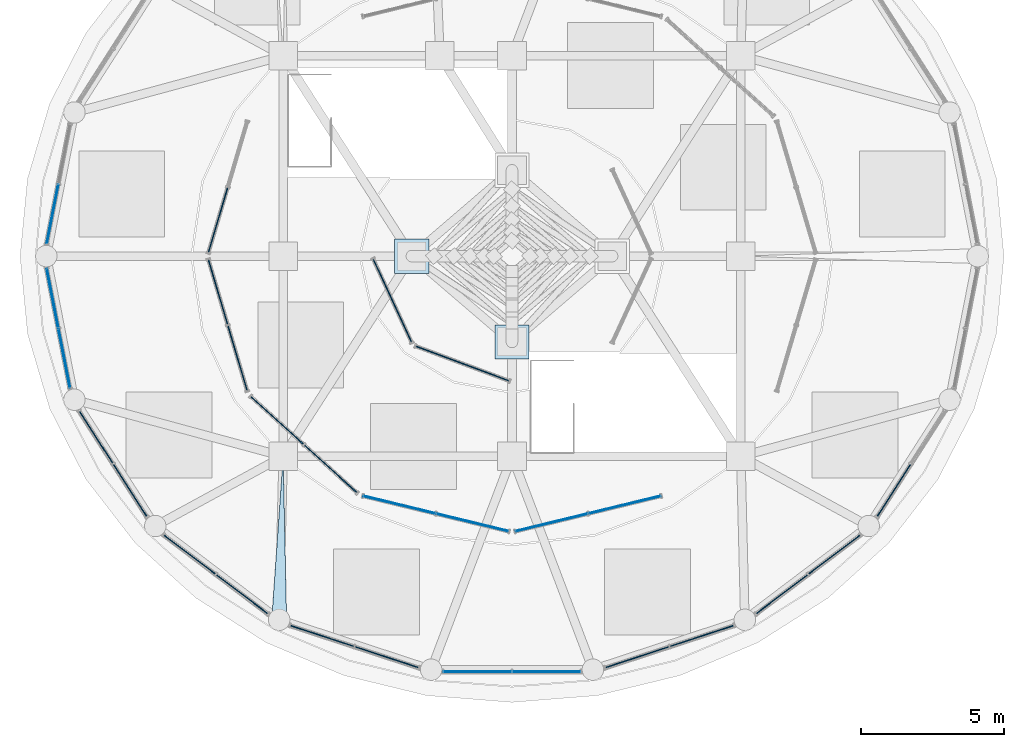
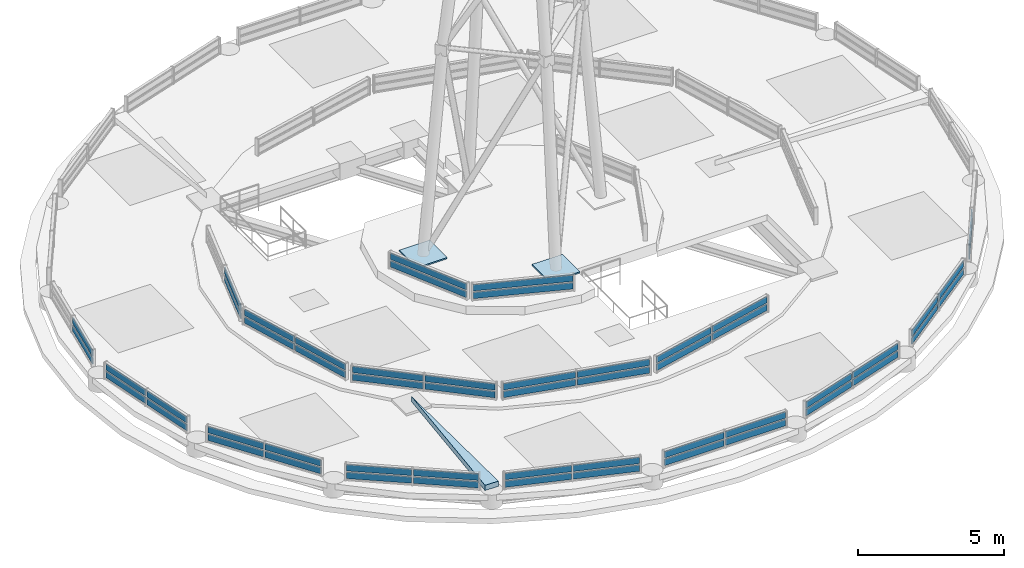
# One storey, part 18 of 21: 56 plates, 1 slab, 16 elements without a shape of their own.
"""IFC4 building model written with IfcOpenShell, lengths in metres."""

from ifc_helpers import new_model, si_unit, direction, frame, origin, origin_2d, place, context, subcontext, project, spatial, polyline, rectangle, outline, extrude, source, transform, mapped, material, layer, layer_set, type_object, element, aggregate, save


model = new_model("IFC4")

# Units and contexts
model_context = context("Model", 3, precision=1e-05, world=origin(), true_north=direction((0.0, 1.0)))
body_context = subcontext(model_context, "Body", "Model", "MODEL_VIEW")
ifc_project = project(units=[si_unit("LENGTHUNIT", "METRE"), si_unit("AREAUNIT", "SQUARE_METRE"), si_unit("VOLUMEUNIT", "CUBIC_METRE"), si_unit("PLANEANGLEUNIT", "RADIAN"), si_unit("MASSUNIT", "GRAM", prefix="KILO")], contexts=[model_context])

# Site, building, storey
site_placement = place(None, origin())
site = spatial("IfcSite", under=ifc_project, at=site_placement, CompositionType="ELEMENT")
building_placement = place(site_placement, origin())
building = spatial("IfcBuilding", under=site, at=building_placement, Name="Kelanora Arch Commons", CompositionType="ELEMENT")
storey_placement = place(building_placement, frame((0.0, 0.0, 311.10009765625)))
storey = spatial("IfcBuildingStorey", under=building, at=storey_placement, Name="RF", CompositionType="ELEMENT", Elevation=311.10009765625)

# Slab
ifc_material_1 = material(Name="Concrete C40/50", Category="concrete")
ifc_layer_1 = layer(ifc_material_1, 0.219970703125)
ifc_layer_set_1 = layer_set([ifc_layer_1], Name="Concrete C40/50")
slab_type = type_object("IfcSlabType", Name="SLB-DRUM-SLOPE", PredefinedType="ROOF", material=ifc_layer_set_1)
slab_placement = place(storey_placement, frame((66.119873046875, 45.2802734375, 0.829833984375), z_axis=(-0.000435821738, -0.01750687699, 0.9998466479), x_axis=(-0.99969028045, 0.024886606324, 0.0)))
element("IfcSlab", 1, at=slab_placement, inside=storey, type_object=slab_type, Name="Sloped Crown Hip Rib 03A", PredefinedType="ROOF", context=body_context, shape_type="SweptSolid", body=[
    extrude(outline(polyline([(0.0, 0.0), (0.5199364251007478, 0.0), (0.2621805030908041, -5.715848355381812), (0.0, 0.0)])), origin(), (0.0, 0.0, -1.0), 0.219970703125),
])

# Plates
ifc_material_2 = material(Name="Steel S355", Category="steel")
ifc_layer_2 = layer(ifc_material_2, 0.06005859375)
ifc_layer_set_2 = layer_set([ifc_layer_2], Name="Steel S355")
plate_type_1 = type_object("IfcPlateType", Name="PLT-MAST-BASE", PredefinedType="SHEET", material=ifc_layer_set_2)
shared_shape_1 = source(origin(), body_context, "Body", "SweptSolid", [
    extrude(rectangle(XDim=1.199951171875, YDim=1.199951171875, at=origin_2d()), origin(), (0.0, 0.0, 1.0), 0.06005859375),
])
for number, where, z_axis, x_axis, name in (
    (2, (70.5, 58.0, 0.999755859375), (0.0, 0.0, 1.0), (1.0, 0.0, 0.0), "Broadcast Mast Base Plate 01"),
    (3, (74.0, 55.0, 0.999755859375), (0.0, 0.0, 1.0), (1.0, 0.0, 0.0), "Broadcast Mast Base Plate 03"),
):
    element("IfcPlate", number, at=place(storey_placement, frame(where, z_axis=z_axis, x_axis=x_axis)), inside=storey, type_object=plate_type_1, Name=name, PredefinedType="SHEET", context=body_context, shape_type="MappedRepresentation", body=[
        mapped(shared_shape_1, transform((0.0, 0.0, 0.0), scale=1.0)),
    ])

# Curtain wall, plates
ifc_material_3 = material(Name="Terracotta ceramic-fritted low-E glass and aluminium", Category="masonry")
ifc_layer_3 = layer(ifc_material_3, 0.14990234375)
ifc_layer_set_3 = layer_set([ifc_layer_3], Name="Terracotta ceramic-fritted low-E glass and aluminium")
curtain_wall_type = type_object("IfcCurtainWallType", Name="CW-SYS-06", PredefinedType="NOTDEFINED", material=ifc_layer_set_3)
curtain_wall_1_placement = place(storey_placement, origin())
curtain_wall_1 = element("IfcCurtainWall", 4, at=curtain_wall_1_placement, inside=storey, type_object=curtain_wall_type, Name="Sloped Glass Crown Lantern T1-09", PredefinedType="NOTDEFINED")
ifc_material_4 = material(Name="Clear laminated solar-control double glazing", Category="glass")
ifc_layer_4 = layer(ifc_material_4, 0.033935546875)
ifc_layer_set_4 = layer_set([ifc_layer_4], Name="Clear laminated solar-control double glazing")
plate_type_2 = type_object("IfcPlateType", Name="CWP-CLR", PredefinedType="CURTAIN_PANEL", material=ifc_layer_set_4)
shared_shape_2 = source(origin(), body_context, "Body", "SweptSolid", [
    extrude(rectangle(XDim=2.080078125, YDim=0.033935546875, at=origin_2d()), origin(), (0.0, 0.0, 1.0), 0.260009765625),
])
plate_1_placement = place(storey_placement, frame((57.937744140625, 59.47216796875, 0.64990234375), z_axis=(0.0, 0.0, 1.0), x_axis=(-0.191834076021, -0.98142737239, 0.0)))
plate_1 = element("IfcPlate", 5, at=plate_1_placement, type_object=plate_type_2, Name="CW-06 panel 2.1", PredefinedType="CURTAIN_PANEL", context=body_context, shape_type="MappedRepresentation", body=[
    mapped(shared_shape_2, transform((0.0, 0.0, 0.0), scale=1.0)),
])
plate_2_placement = place(storey_placement, frame((57.937744140625, 59.47216796875, 0.9697265625), z_axis=(0.0, 0.0, 1.0), x_axis=(-0.191834076021, -0.98142737239, 0.0)))
plate_2 = element("IfcPlate", 6, at=plate_2_placement, type_object=plate_type_2, Name="CW-06 panel 2.2", PredefinedType="CURTAIN_PANEL", context=body_context, shape_type="MappedRepresentation", body=[
    mapped(shared_shape_2, transform((0.0, 0.0, 0.0), scale=1.0)),
])
aggregate(curtain_wall_1, [plate_1, plate_2])

curtain_wall_2_placement = place(storey_placement, origin())
curtain_wall_2 = element("IfcCurtainWall", 7, at=curtain_wall_2_placement, inside=storey, type_object=curtain_wall_type, Name="Sloped Glass Crown Lantern T1-10", PredefinedType="NOTDEFINED")
plate_3_placement = place(storey_placement, frame((57.937744140625, 56.52783203125, 0.64990234375), z_axis=(0.0, 0.0, 1.0), x_axis=(0.191834076021, -0.98142737239, 0.0)))
plate_3 = element("IfcPlate", 8, at=plate_3_placement, type_object=plate_type_2, Name="CW-06 panel 1.1", PredefinedType="CURTAIN_PANEL", context=body_context, shape_type="MappedRepresentation", body=[
    mapped(shared_shape_2, transform((0.0, 0.0, 0.0), scale=1.0)),
])
plate_4_placement = place(storey_placement, frame((57.937744140625, 56.52783203125, 0.9697265625), z_axis=(0.0, 0.0, 1.0), x_axis=(0.191834076021, -0.98142737239, 0.0)))
plate_4 = element("IfcPlate", 9, at=plate_4_placement, type_object=plate_type_2, Name="CW-06 panel 1.2", PredefinedType="CURTAIN_PANEL", context=body_context, shape_type="MappedRepresentation", body=[
    mapped(shared_shape_2, transform((0.0, 0.0, 0.0), scale=1.0)),
])
plate_5_placement = place(storey_placement, frame((58.348388671875, 54.427490234375, 0.64990234375), z_axis=(0.0, 0.0, 1.0), x_axis=(0.191834076021, -0.98142737239, 0.0)))
plate_5 = element("IfcPlate", 10, at=plate_5_placement, type_object=plate_type_2, Name="CW-06 panel 2.1", PredefinedType="CURTAIN_PANEL", context=body_context, shape_type="MappedRepresentation", body=[
    mapped(shared_shape_2, transform((0.0, 0.0, 0.0), scale=1.0)),
])
plate_6_placement = place(storey_placement, frame((58.348388671875, 54.427490234375, 0.9697265625), z_axis=(0.0, 0.0, 1.0), x_axis=(0.191834076021, -0.98142737239, 0.0)))
plate_6 = element("IfcPlate", 11, at=plate_6_placement, type_object=plate_type_2, Name="CW-06 panel 2.2", PredefinedType="CURTAIN_PANEL", context=body_context, shape_type="MappedRepresentation", body=[
    mapped(shared_shape_2, transform((0.0, 0.0, 0.0), scale=1.0)),
])
aggregate(curtain_wall_2, [plate_3, plate_4, plate_5, plate_6])

curtain_wall_3_placement = place(storey_placement, origin())
curtain_wall_3 = element("IfcCurtainWall", 12, at=curtain_wall_3_placement, inside=storey, type_object=curtain_wall_type, Name="Sloped Glass Crown Lantern T1-11", PredefinedType="NOTDEFINED")
shared_shape_3 = source(origin(), body_context, "Body", "SweptSolid", [
    extrude(rectangle(XDim=2.1435546875, YDim=0.033935546875, at=origin_2d()), origin(), (0.0, 0.0, 1.0), 0.260009765625),
])
plate_7_placement = place(storey_placement, frame((59.461669921875, 51.6650390625, 0.64990234375), z_axis=(0.0, 0.0, 1.0), x_axis=(0.539053696421, -0.842271400663, 0.0)))
plate_7 = element("IfcPlate", 13, at=plate_7_placement, type_object=plate_type_2, Name="CW-06 panel 1.1", PredefinedType="CURTAIN_PANEL", context=body_context, shape_type="MappedRepresentation", body=[
    mapped(shared_shape_3, transform((0.0, 0.0, 0.0), scale=1.0)),
])
plate_8_placement = place(storey_placement, frame((59.461669921875, 51.6650390625, 0.9697265625), z_axis=(0.0, 0.0, 1.0), x_axis=(0.539053696421, -0.842271400663, 0.0)))
plate_8 = element("IfcPlate", 14, at=plate_8_placement, type_object=plate_type_2, Name="CW-06 panel 1.2", PredefinedType="CURTAIN_PANEL", context=body_context, shape_type="MappedRepresentation", body=[
    mapped(shared_shape_3, transform((0.0, 0.0, 0.0), scale=1.0)),
])
plate_9_placement = place(storey_placement, frame((60.6494140625, 49.80908203125, 0.64990234375), z_axis=(0.0, 0.0, 1.0), x_axis=(0.539053696421, -0.842271400663, 0.0)))
plate_9 = element("IfcPlate", 15, at=plate_9_placement, type_object=plate_type_2, Name="CW-06 panel 2.1", PredefinedType="CURTAIN_PANEL", context=body_context, shape_type="MappedRepresentation", body=[
    mapped(shared_shape_3, transform((0.0, 0.0, 0.0), scale=1.0)),
])
plate_10_placement = place(storey_placement, frame((60.6494140625, 49.80908203125, 0.9697265625), z_axis=(0.0, 0.0, 1.0), x_axis=(0.539053696421, -0.842271400663, 0.0)))
plate_10 = element("IfcPlate", 16, at=plate_10_placement, type_object=plate_type_2, Name="CW-06 panel 2.2", PredefinedType="CURTAIN_PANEL", context=body_context, shape_type="MappedRepresentation", body=[
    mapped(shared_shape_3, transform((0.0, 0.0, 0.0), scale=1.0)),
])
aggregate(curtain_wall_3, [plate_7, plate_8, plate_9, plate_10])

curtain_wall_4_placement = place(storey_placement, origin())
curtain_wall_4 = element("IfcCurtainWall", 17, at=curtain_wall_4_placement, inside=storey, type_object=curtain_wall_type, Name="Sloped Glass Crown Lantern T1-17", PredefinedType="NOTDEFINED")
plate_11_placement = place(storey_placement, frame((87.3505859375, 49.80908203125, 0.64990234375), z_axis=(0.0, 0.0, 1.0), x_axis=(0.539053696421, 0.842271400663, 0.0)))
plate_11 = element("IfcPlate", 18, at=plate_11_placement, type_object=plate_type_2, Name="CW-06 panel 1.1", PredefinedType="CURTAIN_PANEL", context=body_context, shape_type="MappedRepresentation", body=[
    mapped(shared_shape_3, transform((0.0, 0.0, 0.0), scale=1.0)),
])
plate_12_placement = place(storey_placement, frame((87.3505859375, 49.80908203125, 0.9697265625), z_axis=(0.0, 0.0, 1.0), x_axis=(0.539053696421, 0.842271400663, 0.0)))
plate_12 = element("IfcPlate", 19, at=plate_12_placement, type_object=plate_type_2, Name="CW-06 panel 1.2", PredefinedType="CURTAIN_PANEL", context=body_context, shape_type="MappedRepresentation", body=[
    mapped(shared_shape_3, transform((0.0, 0.0, 0.0), scale=1.0)),
])
aggregate(curtain_wall_4, [plate_11, plate_12])

curtain_wall_5_placement = place(storey_placement, origin())
curtain_wall_5 = element("IfcCurtainWall", 20, at=curtain_wall_5_placement, inside=storey, type_object=curtain_wall_type, Name="Sloped Glass Crown Lantern T1-12", PredefinedType="NOTDEFINED")
shared_shape_4 = source(origin(), body_context, "Body", "SweptSolid", [
    extrude(rectangle(XDim=2.23779296875, YDim=0.033935546875, at=origin_2d()), origin(), (0.0, 0.0, 1.0), 0.260009765625),
])
plate_13_placement = place(storey_placement, frame((62.734130859375, 47.56591796875, 0.64990234375), z_axis=(0.0, 0.0, 1.0), x_axis=(0.797311399937, -0.603568166432, 0.0)))
plate_13 = element("IfcPlate", 21, at=plate_13_placement, type_object=plate_type_2, Name="CW-06 panel 1.1", PredefinedType="CURTAIN_PANEL", context=body_context, shape_type="MappedRepresentation", body=[
    mapped(shared_shape_4, transform((0.0, 0.0, 0.0), scale=1.0)),
])
plate_14_placement = place(storey_placement, frame((62.734130859375, 47.56591796875, 0.9697265625), z_axis=(0.0, 0.0, 1.0), x_axis=(0.797311399937, -0.603568166432, 0.0)))
plate_14 = element("IfcPlate", 22, at=plate_14_placement, type_object=plate_type_2, Name="CW-06 panel 1.2", PredefinedType="CURTAIN_PANEL", context=body_context, shape_type="MappedRepresentation", body=[
    mapped(shared_shape_4, transform((0.0, 0.0, 0.0), scale=1.0)),
])
plate_15_placement = place(storey_placement, frame((64.566162109375, 46.178955078125, 0.64990234375), z_axis=(0.0, 0.0, 1.0), x_axis=(0.797311399937, -0.603568166432, 0.0)))
plate_15 = element("IfcPlate", 23, at=plate_15_placement, type_object=plate_type_2, Name="CW-06 panel 2.1", PredefinedType="CURTAIN_PANEL", context=body_context, shape_type="MappedRepresentation", body=[
    mapped(shared_shape_4, transform((0.0, 0.0, 0.0), scale=1.0)),
])
plate_16_placement = place(storey_placement, frame((64.566162109375, 46.178955078125, 0.9697265625), z_axis=(0.0, 0.0, 1.0), x_axis=(0.797311399937, -0.603568166432, 0.0)))
plate_16 = element("IfcPlate", 24, at=plate_16_placement, type_object=plate_type_2, Name="CW-06 panel 2.2", PredefinedType="CURTAIN_PANEL", context=body_context, shape_type="MappedRepresentation", body=[
    mapped(shared_shape_4, transform((0.0, 0.0, 0.0), scale=1.0)),
])
aggregate(curtain_wall_5, [plate_13, plate_14, plate_15, plate_16])

curtain_wall_6_placement = place(storey_placement, origin())
curtain_wall_6 = element("IfcCurtainWall", 25, at=curtain_wall_6_placement, inside=storey, type_object=curtain_wall_type, Name="Sloped Glass Crown Lantern T1-16", PredefinedType="NOTDEFINED")
plate_17_placement = place(storey_placement, frame((83.433837890625, 46.178955078125, 0.64990234375), z_axis=(0.0, 0.0, 1.0), x_axis=(0.797311399937, 0.603568166432, 0.0)))
plate_17 = element("IfcPlate", 26, at=plate_17_placement, type_object=plate_type_2, Name="CW-06 panel 1.1", PredefinedType="CURTAIN_PANEL", context=body_context, shape_type="MappedRepresentation", body=[
    mapped(shared_shape_4, transform((0.0, 0.0, 0.0), scale=1.0)),
])
plate_18_placement = place(storey_placement, frame((83.433837890625, 46.178955078125, 0.9697265625), z_axis=(0.0, 0.0, 1.0), x_axis=(0.797311399937, 0.603568166432, 0.0)))
plate_18 = element("IfcPlate", 27, at=plate_18_placement, type_object=plate_type_2, Name="CW-06 panel 1.2", PredefinedType="CURTAIN_PANEL", context=body_context, shape_type="MappedRepresentation", body=[
    mapped(shared_shape_4, transform((0.0, 0.0, 0.0), scale=1.0)),
])
plate_19_placement = place(storey_placement, frame((85.265869140625, 47.56591796875, 0.64990234375), z_axis=(0.0, 0.0, 1.0), x_axis=(0.797311399937, 0.603568166432, 0.0)))
plate_19 = element("IfcPlate", 28, at=plate_19_placement, type_object=plate_type_2, Name="CW-06 panel 2.1", PredefinedType="CURTAIN_PANEL", context=body_context, shape_type="MappedRepresentation", body=[
    mapped(shared_shape_4, transform((0.0, 0.0, 0.0), scale=1.0)),
])
plate_20_placement = place(storey_placement, frame((85.265869140625, 47.56591796875, 0.9697265625), z_axis=(0.0, 0.0, 1.0), x_axis=(0.797311399937, 0.603568166432, 0.0)))
plate_20 = element("IfcPlate", 29, at=plate_20_placement, type_object=plate_type_2, Name="CW-06 panel 2.2", PredefinedType="CURTAIN_PANEL", context=body_context, shape_type="MappedRepresentation", body=[
    mapped(shared_shape_4, transform((0.0, 0.0, 0.0), scale=1.0)),
])
aggregate(curtain_wall_6, [plate_17, plate_18, plate_19, plate_20])

curtain_wall_7_placement = place(storey_placement, origin())
curtain_wall_7 = element("IfcCurtainWall", 30, at=curtain_wall_7_placement, inside=storey, type_object=curtain_wall_type, Name="Sloped Glass Crown Lantern T1-13", PredefinedType="NOTDEFINED")
shared_shape_5 = source(origin(), body_context, "Body", "SweptSolid", [
    extrude(rectangle(XDim=2.318115234375, YDim=0.033935546875, at=origin_2d()), origin(), (0.0, 0.0, 1.0), 0.260009765625),
])
plate_21_placement = place(storey_placement, frame((67.36328125, 44.720947265625, 0.64990234375), z_axis=(0.0, 0.0, 1.0), x_axis=(0.950100073645, -0.311945267732, 0.0)))
plate_21 = element("IfcPlate", 31, at=plate_21_placement, type_object=plate_type_2, Name="CW-06 panel 1.1", PredefinedType="CURTAIN_PANEL", context=body_context, shape_type="MappedRepresentation", body=[
    mapped(shared_shape_5, transform((0.0, 0.0, 0.0), scale=1.0)),
])
plate_22_placement = place(storey_placement, frame((67.36328125, 44.720947265625, 0.9697265625), z_axis=(0.0, 0.0, 1.0), x_axis=(0.950100073645, -0.311945267732, 0.0)))
plate_22 = element("IfcPlate", 32, at=plate_22_placement, type_object=plate_type_2, Name="CW-06 panel 1.2", PredefinedType="CURTAIN_PANEL", context=body_context, shape_type="MappedRepresentation", body=[
    mapped(shared_shape_5, transform((0.0, 0.0, 0.0), scale=1.0)),
])
plate_23_placement = place(storey_placement, frame((69.62255859375, 43.979248046875, 0.64990234375), z_axis=(0.0, 0.0, 1.0), x_axis=(0.950100073645, -0.311945267732, 0.0)))
plate_23 = element("IfcPlate", 33, at=plate_23_placement, type_object=plate_type_2, Name="CW-06 panel 2.1", PredefinedType="CURTAIN_PANEL", context=body_context, shape_type="MappedRepresentation", body=[
    mapped(shared_shape_5, transform((0.0, 0.0, 0.0), scale=1.0)),
])
plate_24_placement = place(storey_placement, frame((69.62255859375, 43.979248046875, 0.9697265625), z_axis=(0.0, 0.0, 1.0), x_axis=(0.950100073645, -0.311945267732, 0.0)))
plate_24 = element("IfcPlate", 34, at=plate_24_placement, type_object=plate_type_2, Name="CW-06 panel 2.2", PredefinedType="CURTAIN_PANEL", context=body_context, shape_type="MappedRepresentation", body=[
    mapped(shared_shape_5, transform((0.0, 0.0, 0.0), scale=1.0)),
])
aggregate(curtain_wall_7, [plate_21, plate_22, plate_23, plate_24])

curtain_wall_8_placement = place(storey_placement, origin())
curtain_wall_8 = element("IfcCurtainWall", 35, at=curtain_wall_8_placement, inside=storey, type_object=curtain_wall_type, Name="Sloped Glass Crown Lantern T1-15", PredefinedType="NOTDEFINED")
plate_25_placement = place(storey_placement, frame((78.37744140625, 43.979248046875, 0.64990234375), z_axis=(0.0, 0.0, 1.0), x_axis=(0.950100073645, 0.311945267732, 0.0)))
plate_25 = element("IfcPlate", 36, at=plate_25_placement, type_object=plate_type_2, Name="CW-06 panel 1.1", PredefinedType="CURTAIN_PANEL", context=body_context, shape_type="MappedRepresentation", body=[
    mapped(shared_shape_5, transform((0.0, 0.0, 0.0), scale=1.0)),
])
plate_26_placement = place(storey_placement, frame((78.37744140625, 43.979248046875, 0.9697265625), z_axis=(0.0, 0.0, 1.0), x_axis=(0.950100073645, 0.311945267732, 0.0)))
plate_26 = element("IfcPlate", 37, at=plate_26_placement, type_object=plate_type_2, Name="CW-06 panel 1.2", PredefinedType="CURTAIN_PANEL", context=body_context, shape_type="MappedRepresentation", body=[
    mapped(shared_shape_5, transform((0.0, 0.0, 0.0), scale=1.0)),
])
plate_27_placement = place(storey_placement, frame((80.63671875, 44.720947265625, 0.64990234375), z_axis=(0.0, 0.0, 1.0), x_axis=(0.950100073645, 0.311945267732, 0.0)))
plate_27 = element("IfcPlate", 38, at=plate_27_placement, type_object=plate_type_2, Name="CW-06 panel 2.1", PredefinedType="CURTAIN_PANEL", context=body_context, shape_type="MappedRepresentation", body=[
    mapped(shared_shape_5, transform((0.0, 0.0, 0.0), scale=1.0)),
])
plate_28_placement = place(storey_placement, frame((80.63671875, 44.720947265625, 0.9697265625), z_axis=(0.0, 0.0, 1.0), x_axis=(0.950100073645, 0.311945267732, 0.0)))
plate_28 = element("IfcPlate", 39, at=plate_28_placement, type_object=plate_type_2, Name="CW-06 panel 2.2", PredefinedType="CURTAIN_PANEL", context=body_context, shape_type="MappedRepresentation", body=[
    mapped(shared_shape_5, transform((0.0, 0.0, 0.0), scale=1.0)),
])
aggregate(curtain_wall_8, [plate_25, plate_26, plate_27, plate_28])

curtain_wall_9_placement = place(storey_placement, origin())
curtain_wall_9 = element("IfcCurtainWall", 40, at=curtain_wall_9_placement, inside=storey, type_object=curtain_wall_type, Name="Sloped Glass Crown Lantern T1-14", PredefinedType="NOTDEFINED")
shared_shape_6 = source(origin(), body_context, "Body", "SweptSolid", [
    extrude(rectangle(XDim=2.34912109375, YDim=0.033935546875, at=origin_2d()), origin(), (0.0, 0.0, 1.0), 0.260009765625),
])
plate_29_placement = place(storey_placement, frame((72.79541015625, 43.47412109375, 0.64990234375), z_axis=(0.0, 0.0, 1.0), x_axis=(1.0, 0.0, 0.0)))
plate_29 = element("IfcPlate", 41, at=plate_29_placement, type_object=plate_type_2, Name="CW-06 panel 1.1", PredefinedType="CURTAIN_PANEL", context=body_context, shape_type="MappedRepresentation", body=[
    mapped(shared_shape_6, transform((0.0, 0.0, 0.0), scale=1.0)),
])
plate_30_placement = place(storey_placement, frame((72.79541015625, 43.47412109375, 0.9697265625), z_axis=(0.0, 0.0, 1.0), x_axis=(1.0, 0.0, 0.0)))
plate_30 = element("IfcPlate", 42, at=plate_30_placement, type_object=plate_type_2, Name="CW-06 panel 1.2", PredefinedType="CURTAIN_PANEL", context=body_context, shape_type="MappedRepresentation", body=[
    mapped(shared_shape_6, transform((0.0, 0.0, 0.0), scale=1.0)),
])
plate_31_placement = place(storey_placement, frame((75.20458984375, 43.47412109375, 0.64990234375), z_axis=(0.0, 0.0, 1.0), x_axis=(1.0, 0.0, 0.0)))
plate_31 = element("IfcPlate", 43, at=plate_31_placement, type_object=plate_type_2, Name="CW-06 panel 2.1", PredefinedType="CURTAIN_PANEL", context=body_context, shape_type="MappedRepresentation", body=[
    mapped(shared_shape_6, transform((0.0, 0.0, 0.0), scale=1.0)),
])
plate_32_placement = place(storey_placement, frame((75.20458984375, 43.47412109375, 0.9697265625), z_axis=(0.0, 0.0, 1.0), x_axis=(1.0, 0.0, 0.0)))
plate_32 = element("IfcPlate", 44, at=plate_32_placement, type_object=plate_type_2, Name="CW-06 panel 2.2", PredefinedType="CURTAIN_PANEL", context=body_context, shape_type="MappedRepresentation", body=[
    mapped(shared_shape_6, transform((0.0, 0.0, 0.0), scale=1.0)),
])
aggregate(curtain_wall_9, [plate_29, plate_30, plate_31, plate_32])

curtain_wall_10_placement = place(storey_placement, origin())
curtain_wall_10 = element("IfcCurtainWall", 45, at=curtain_wall_10_placement, inside=storey, type_object=curtain_wall_type, Name="Sloped Glass Crown Lantern T2-06", PredefinedType="NOTDEFINED")
shared_shape_7 = source(origin(), body_context, "Body", "SweptSolid", [
    extrude(rectangle(XDim=2.345703125, YDim=0.033935546875, at=origin_2d()), origin(), (0.0, 0.0, 1.0), 0.260009765625),
])
plate_33_placement = place(storey_placement, frame((63.722412109375, 59.259033203125, 0.75), z_axis=(0.0, 0.0, 1.0), x_axis=(-0.283564103379, -0.958953283156, 0.0)))
plate_33 = element("IfcPlate", 46, at=plate_33_placement, type_object=plate_type_2, Name="CW-06 panel 2.1", PredefinedType="CURTAIN_PANEL", context=body_context, shape_type="MappedRepresentation", body=[
    mapped(shared_shape_7, transform((0.0, 0.0, 0.0), scale=1.0)),
])
plate_34_placement = place(storey_placement, frame((63.722412109375, 59.259033203125, 1.06982421875), z_axis=(0.0, 0.0, 1.0), x_axis=(-0.283564103379, -0.958953283156, 0.0)))
plate_34 = element("IfcPlate", 47, at=plate_34_placement, type_object=plate_type_2, Name="CW-06 panel 2.2", PredefinedType="CURTAIN_PANEL", context=body_context, shape_type="MappedRepresentation", body=[
    mapped(shared_shape_7, transform((0.0, 0.0, 0.0), scale=1.0)),
])
aggregate(curtain_wall_10, [plate_33, plate_34])

curtain_wall_11_placement = place(storey_placement, origin())
curtain_wall_11 = element("IfcCurtainWall", 48, at=curtain_wall_11_placement, inside=storey, type_object=curtain_wall_type, Name="Sloped Glass Crown Lantern T2-07", PredefinedType="NOTDEFINED")
plate_35_placement = place(storey_placement, frame((63.722412109375, 56.740966796875, 0.75), z_axis=(0.0, 0.0, 1.0), x_axis=(0.283564103379, -0.958953283156, 0.0)))
plate_35 = element("IfcPlate", 49, at=plate_35_placement, type_object=plate_type_2, Name="CW-06 panel 1.1", PredefinedType="CURTAIN_PANEL", context=body_context, shape_type="MappedRepresentation", body=[
    mapped(shared_shape_7, transform((0.0, 0.0, 0.0), scale=1.0)),
])
plate_36_placement = place(storey_placement, frame((63.722412109375, 56.740966796875, 1.06982421875), z_axis=(0.0, 0.0, 1.0), x_axis=(0.283564103379, -0.958953283156, 0.0)))
plate_36 = element("IfcPlate", 50, at=plate_36_placement, type_object=plate_type_2, Name="CW-06 panel 1.2", PredefinedType="CURTAIN_PANEL", context=body_context, shape_type="MappedRepresentation", body=[
    mapped(shared_shape_7, transform((0.0, 0.0, 0.0), scale=1.0)),
])
plate_37_placement = place(storey_placement, frame((64.404541015625, 54.43408203125, 0.75), z_axis=(0.0, 0.0, 1.0), x_axis=(0.283564103379, -0.958953283156, 0.0)))
plate_37 = element("IfcPlate", 51, at=plate_37_placement, type_object=plate_type_2, Name="CW-06 panel 2.1", PredefinedType="CURTAIN_PANEL", context=body_context, shape_type="MappedRepresentation", body=[
    mapped(shared_shape_7, transform((0.0, 0.0, 0.0), scale=1.0)),
])
plate_38_placement = place(storey_placement, frame((64.404541015625, 54.43408203125, 1.06982421875), z_axis=(0.0, 0.0, 1.0), x_axis=(0.283564103379, -0.958953283156, 0.0)))
plate_38 = element("IfcPlate", 52, at=plate_38_placement, type_object=plate_type_2, Name="CW-06 panel 2.2", PredefinedType="CURTAIN_PANEL", context=body_context, shape_type="MappedRepresentation", body=[
    mapped(shared_shape_7, transform((0.0, 0.0, 0.0), scale=1.0)),
])
aggregate(curtain_wall_11, [plate_35, plate_36, plate_37, plate_38])

curtain_wall_12_placement = place(storey_placement, origin())
curtain_wall_12 = element("IfcCurtainWall", 53, at=curtain_wall_12_placement, inside=storey, type_object=curtain_wall_type, Name="Sloped Glass Crown Lantern T2-08", PredefinedType="NOTDEFINED")
shared_shape_8 = source(origin(), body_context, "Body", "SweptSolid", [
    extrude(rectangle(XDim=2.460205078125, YDim=0.033935546875, at=origin_2d()), origin(), (0.0, 0.0, 1.0), 0.260009765625),
])
plate_39_placement = place(storey_placement, frame((65.792236328125, 52.255126953125, 0.75), z_axis=(0.0, 0.0, 1.0), x_axis=(0.741041825736, -0.671458868814, 0.0)))
plate_39 = element("IfcPlate", 54, at=plate_39_placement, type_object=plate_type_2, Name="CW-06 panel 1.1", PredefinedType="CURTAIN_PANEL", context=body_context, shape_type="MappedRepresentation", body=[
    mapped(shared_shape_8, transform((0.0, 0.0, 0.0), scale=1.0)),
])
plate_40_placement = place(storey_placement, frame((65.792236328125, 52.255126953125, 1.06982421875), z_axis=(0.0, 0.0, 1.0), x_axis=(0.741041825736, -0.671458868814, 0.0)))
plate_40 = element("IfcPlate", 55, at=plate_40_placement, type_object=plate_type_2, Name="CW-06 panel 1.2", PredefinedType="CURTAIN_PANEL", context=body_context, shape_type="MappedRepresentation", body=[
    mapped(shared_shape_8, transform((0.0, 0.0, 0.0), scale=1.0)),
])
plate_41_placement = place(storey_placement, frame((67.65966796875, 50.562744140625, 0.75), z_axis=(0.0, 0.0, 1.0), x_axis=(0.741041825736, -0.671458868814, 0.0)))
plate_41 = element("IfcPlate", 56, at=plate_41_placement, type_object=plate_type_2, Name="CW-06 panel 2.1", PredefinedType="CURTAIN_PANEL", context=body_context, shape_type="MappedRepresentation", body=[
    mapped(shared_shape_8, transform((0.0, 0.0, 0.0), scale=1.0)),
])
plate_42_placement = place(storey_placement, frame((67.65966796875, 50.562744140625, 1.06982421875), z_axis=(0.0, 0.0, 1.0), x_axis=(0.741041825736, -0.671458868814, 0.0)))
plate_42 = element("IfcPlate", 57, at=plate_42_placement, type_object=plate_type_2, Name="CW-06 panel 2.2", PredefinedType="CURTAIN_PANEL", context=body_context, shape_type="MappedRepresentation", body=[
    mapped(shared_shape_8, transform((0.0, 0.0, 0.0), scale=1.0)),
])
aggregate(curtain_wall_12, [plate_39, plate_40, plate_41, plate_42])

curtain_wall_13_placement = place(storey_placement, origin())
curtain_wall_13 = element("IfcCurtainWall", 58, at=curtain_wall_13_placement, inside=storey, type_object=curtain_wall_type, Name="Sloped Glass Crown Lantern T2-09", PredefinedType="NOTDEFINED")
shared_shape_9 = source(origin(), body_context, "Body", "SweptSolid", [
    extrude(rectangle(XDim=2.56982421875, YDim=0.033935546875, at=origin_2d()), origin(), (0.0, 0.0, 1.0), 0.260009765625),
])
plate_43_placement = place(storey_placement, frame((70.0595703125, 49.306640625, 0.75), z_axis=(0.0, 0.0, 1.0), x_axis=(0.971769836824, -0.235930888692, 0.0)))
plate_43 = element("IfcPlate", 59, at=plate_43_placement, type_object=plate_type_2, Name="CW-06 panel 1.1", PredefinedType="CURTAIN_PANEL", context=body_context, shape_type="MappedRepresentation", body=[
    mapped(shared_shape_9, transform((0.0, 0.0, 0.0), scale=1.0)),
])
plate_44_placement = place(storey_placement, frame((70.0595703125, 49.306640625, 1.06982421875), z_axis=(0.0, 0.0, 1.0), x_axis=(0.971769836824, -0.235930888692, 0.0)))
plate_44 = element("IfcPlate", 60, at=plate_44_placement, type_object=plate_type_2, Name="CW-06 panel 1.2", PredefinedType="CURTAIN_PANEL", context=body_context, shape_type="MappedRepresentation", body=[
    mapped(shared_shape_9, transform((0.0, 0.0, 0.0), scale=1.0)),
])
plate_45_placement = place(storey_placement, frame((72.615234375, 48.686279296875, 0.75), z_axis=(0.0, 0.0, 1.0), x_axis=(0.971769836824, -0.235930888692, 0.0)))
plate_45 = element("IfcPlate", 61, at=plate_45_placement, type_object=plate_type_2, Name="CW-06 panel 2.1", PredefinedType="CURTAIN_PANEL", context=body_context, shape_type="MappedRepresentation", body=[
    mapped(shared_shape_9, transform((0.0, 0.0, 0.0), scale=1.0)),
])
plate_46_placement = place(storey_placement, frame((72.615234375, 48.686279296875, 1.06982421875), z_axis=(0.0, 0.0, 1.0), x_axis=(0.971769836824, -0.235930888692, 0.0)))
plate_46 = element("IfcPlate", 62, at=plate_46_placement, type_object=plate_type_2, Name="CW-06 panel 2.2", PredefinedType="CURTAIN_PANEL", context=body_context, shape_type="MappedRepresentation", body=[
    mapped(shared_shape_9, transform((0.0, 0.0, 0.0), scale=1.0)),
])
aggregate(curtain_wall_13, [plate_43, plate_44, plate_45, plate_46])

curtain_wall_14_placement = place(storey_placement, origin())
curtain_wall_14 = element("IfcCurtainWall", 63, at=curtain_wall_14_placement, inside=storey, type_object=curtain_wall_type, Name="Sloped Glass Crown Lantern T2-10", PredefinedType="NOTDEFINED")
plate_47_placement = place(storey_placement, frame((75.384765625, 48.686279296875, 0.75), z_axis=(0.0, 0.0, 1.0), x_axis=(0.971769836824, 0.235930888692, 0.0)))
plate_47 = element("IfcPlate", 64, at=plate_47_placement, type_object=plate_type_2, Name="CW-06 panel 1.1", PredefinedType="CURTAIN_PANEL", context=body_context, shape_type="MappedRepresentation", body=[
    mapped(shared_shape_9, transform((0.0, 0.0, 0.0), scale=1.0)),
])
plate_48_placement = place(storey_placement, frame((75.384765625, 48.686279296875, 1.06982421875), z_axis=(0.0, 0.0, 1.0), x_axis=(0.971769836824, 0.235930888692, 0.0)))
plate_48 = element("IfcPlate", 65, at=plate_48_placement, type_object=plate_type_2, Name="CW-06 panel 1.2", PredefinedType="CURTAIN_PANEL", context=body_context, shape_type="MappedRepresentation", body=[
    mapped(shared_shape_9, transform((0.0, 0.0, 0.0), scale=1.0)),
])
plate_49_placement = place(storey_placement, frame((77.9404296875, 49.306640625, 0.75), z_axis=(0.0, 0.0, 1.0), x_axis=(0.971769836824, 0.235930888692, 0.0)))
plate_49 = element("IfcPlate", 66, at=plate_49_placement, type_object=plate_type_2, Name="CW-06 panel 2.1", PredefinedType="CURTAIN_PANEL", context=body_context, shape_type="MappedRepresentation", body=[
    mapped(shared_shape_9, transform((0.0, 0.0, 0.0), scale=1.0)),
])
plate_50_placement = place(storey_placement, frame((77.9404296875, 49.306640625, 1.06982421875), z_axis=(0.0, 0.0, 1.0), x_axis=(0.971769836824, 0.235930888692, 0.0)))
plate_50 = element("IfcPlate", 67, at=plate_50_placement, type_object=plate_type_2, Name="CW-06 panel 2.2", PredefinedType="CURTAIN_PANEL", context=body_context, shape_type="MappedRepresentation", body=[
    mapped(shared_shape_9, transform((0.0, 0.0, 0.0), scale=1.0)),
])
aggregate(curtain_wall_14, [plate_47, plate_48, plate_49, plate_50])

curtain_wall_15_placement = place(storey_placement, origin())
curtain_wall_15 = element("IfcCurtainWall", 68, at=curtain_wall_15_placement, inside=storey, type_object=curtain_wall_type, Name="Sloped Glass Crown Lantern T3-05", PredefinedType="NOTDEFINED")
shared_shape_10 = source(origin(), body_context, "Body", "SweptSolid", [
    extrude(rectangle(XDim=3.186279296875, YDim=0.033935546875, at=origin_2d()), origin(), (0.0, 0.0, 1.0), 0.260009765625),
])
plate_51_placement = place(storey_placement, frame((69.817626953125, 56.4443359375, 1.06005859375), z_axis=(0.0, 0.0, 1.0), x_axis=(0.418889389916, -0.908037267416, 0.0)))
plate_51 = element("IfcPlate", 69, at=plate_51_placement, type_object=plate_type_2, Name="CW-06 panel 1.1", PredefinedType="CURTAIN_PANEL", context=body_context, shape_type="MappedRepresentation", body=[
    mapped(shared_shape_10, transform((0.0, 0.0, 0.0), scale=1.0)),
])
plate_52_placement = place(storey_placement, frame((69.817626953125, 56.4443359375, 1.3798828125), z_axis=(0.0, 0.0, 1.0), x_axis=(0.418889389916, -0.908037267416, 0.0)))
plate_52 = element("IfcPlate", 70, at=plate_52_placement, type_object=plate_type_2, Name="CW-06 panel 1.2", PredefinedType="CURTAIN_PANEL", context=body_context, shape_type="MappedRepresentation", body=[
    mapped(shared_shape_10, transform((0.0, 0.0, 0.0), scale=1.0)),
])
aggregate(curtain_wall_15, [plate_51, plate_52])

curtain_wall_16_placement = place(storey_placement, origin())
curtain_wall_16 = element("IfcCurtainWall", 71, at=curtain_wall_16_placement, inside=storey, type_object=curtain_wall_type, Name="Sloped Glass Crown Lantern T3-06", PredefinedType="NOTDEFINED")
shared_shape_11 = source(origin(), body_context, "Body", "SweptSolid", [
    extrude(rectangle(XDim=3.456787109375, YDim=0.033935546875, at=origin_2d()), origin(), (0.0, 0.0, 1.0), 0.260009765625),
])
plate_53_placement = place(storey_placement, frame((72.267578125, 54.244384765625, 1.06005859375), z_axis=(0.0, 0.0, 1.0), x_axis=(0.937267957157, -0.348609776809, 0.0)))
plate_53 = element("IfcPlate", 72, at=plate_53_placement, type_object=plate_type_2, Name="CW-06 panel 1.1", PredefinedType="CURTAIN_PANEL", context=body_context, shape_type="MappedRepresentation", body=[
    mapped(shared_shape_11, transform((0.0, 0.0, 0.0), scale=1.0)),
])
plate_54_placement = place(storey_placement, frame((72.267578125, 54.244384765625, 1.3798828125), z_axis=(0.0, 0.0, 1.0), x_axis=(0.937267957157, -0.348609776809, 0.0)))
plate_54 = element("IfcPlate", 73, at=plate_54_placement, type_object=plate_type_2, Name="CW-06 panel 1.2", PredefinedType="CURTAIN_PANEL", context=body_context, shape_type="MappedRepresentation", body=[
    mapped(shared_shape_11, transform((0.0, 0.0, 0.0), scale=1.0)),
])
aggregate(curtain_wall_16, [plate_53, plate_54])

save(model, "model.ifc")
